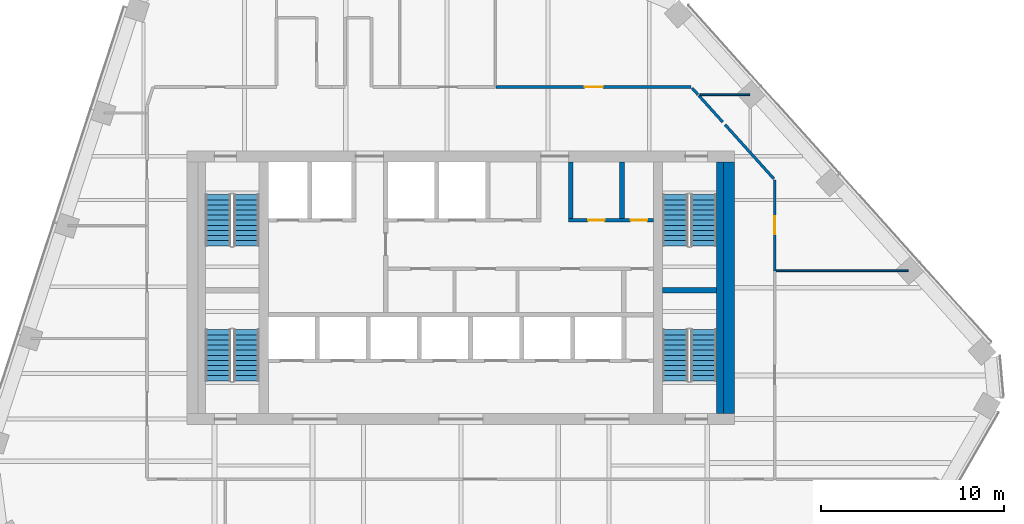
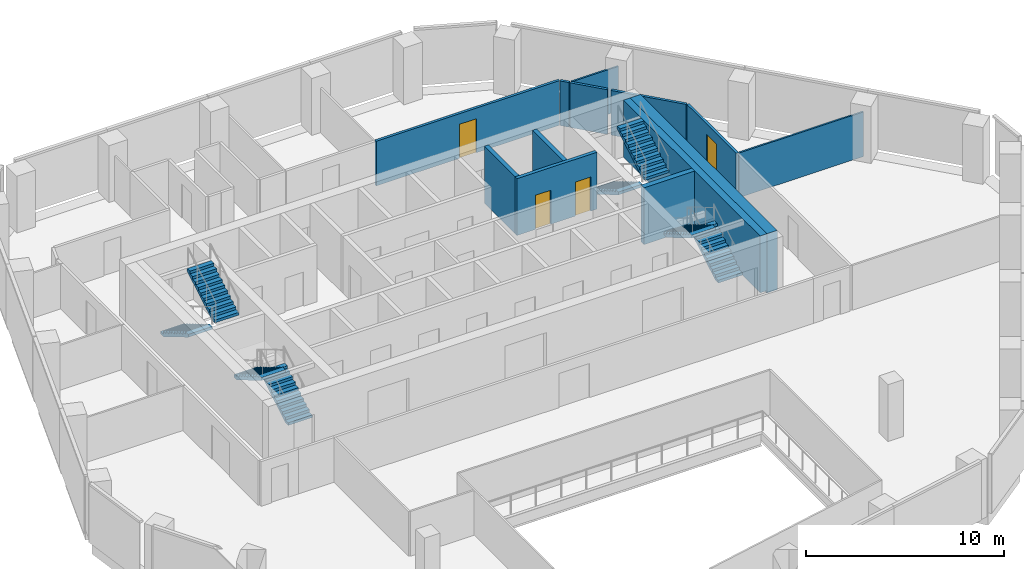
# One storey, part 11 of 15: 13 walls, 8 stair flights, 4 doors, 4 openings, 4 elements without a shape of their own.
"""IFC4 building model written with IfcOpenShell, lengths in metres."""

from ifc_helpers import new_model, si_unit, direction, frame, frame_2d, origin, place, context, subcontext, project, spatial, polyline, rectangle, outline, extrude, material, layer, layer_set, type_object, element, fill, aggregate, save


model = new_model("IFC4")

# Units and contexts
model_context = context("Model", 3, precision=1e-05, world=origin(), true_north=direction((0.0, 1.0)))
body_context = subcontext(model_context, "Body", "Model", "MODEL_VIEW")
ifc_project = project(units=[si_unit("LENGTHUNIT", "METRE"), si_unit("AREAUNIT", "SQUARE_METRE"), si_unit("VOLUMEUNIT", "CUBIC_METRE"), si_unit("PLANEANGLEUNIT", "RADIAN"), si_unit("MASSUNIT", "GRAM", prefix="KILO")], contexts=[model_context])

# Site, building, storey
site_placement = place(None, origin())
site = spatial("IfcSite", under=ifc_project, at=site_placement, CompositionType="ELEMENT")
building_placement = place(site_placement, origin())
building = spatial("IfcBuilding", under=site, at=building_placement, Name="Isthmus Gate Tower", CompositionType="ELEMENT")
storey_placement = place(building_placement, frame((0.0, 0.0, 230.89990234375)))
storey = spatial("IfcBuildingStorey", under=building, at=storey_placement, Name="L58", CompositionType="ELEMENT", Elevation=230.89990234375)

# Wall, opening, door
ifc_material_1 = material(Name="Gypsum board on steel studs, fire-rated", Category="steel")
ifc_layer_1 = layer(ifc_material_1, 0.14990234375)
ifc_layer_set_1 = layer_set([ifc_layer_1], Name="CORRIDOR WALL 150 60 MIN")
wall_type_1 = type_object("IfcWallType", Name="CORRIDOR WALL 150 60 MIN", PredefinedType="PARTITIONING", material=ifc_layer_set_1)
wall_1_placement = place(storey_placement, frame((17.199951171875, 13.407958984375, 0.0), z_axis=(0.0, 0.0, 1.0), x_axis=(0.0, -1.0, 0.0)))
wall_1 = element("IfcWall", 1, at=wall_1_placement, inside=storey, type_object=wall_type_1, Name="L58 Corridor Wall 150 60 Min", PredefinedType="PARTITIONING", context=body_context, shape_type="SweptSolid", body=[
    extrude(rectangle(XDim=4.97998046875, YDim=0.14990234375, at=frame_2d((2.489990234375, 0.0))), origin(), (0.0, 0.0, 1.0), 2.750732421875),
])
opening_1_placement = place(wall_1_placement, frame((1.989990234375, 0.0, 0.0)))
opening_1 = element("IfcOpeningElement", 2, at=opening_1_placement, cuts=wall_1, Name="Opening DT-T5B-06", PredefinedType="OPENING", context=body_context, shape_type="SweptSolid", body=[
    extrude(rectangle(XDim=1.0, YDim=2.10009765625, at=frame_2d((0.5, 1.050048828125))), frame((0.0, 0.0849609375, 0.0), z_axis=(0.0, -1.0, 0.0), x_axis=(1.0, 0.0, 0.0)), (0.0, 0.0, 1.0), 0.169921875),
])
ifc_material_2 = material(Name="Solid core timber door leaf, fire-rated", Category="wood")
door_type_1 = type_object("IfcDoorType", Name="FIRE DOOR ROOM 1000 X 2100 60 MIN", OperationType="SINGLE_SWING_LEFT", PredefinedType="DOOR", material=ifc_material_2)
door_1_placement = place(opening_1_placement, origin())
door_1 = element("IfcDoor", 3, at=door_1_placement, inside=storey, type_object=door_type_1, Name="L58 room door", OperationType="SINGLE_SWING_LEFT", OverallHeight=2.10009765625, OverallWidth=1.0, PredefinedType="DOOR", context=body_context, shape_type="SweptSolid", body=[
    extrude(rectangle(XDim=1.0, YDim=2.10009765625, at=frame_2d((0.5, 1.050048828125))), frame((0.0, 0.02490234375, 0.0), z_axis=(0.0, -1.0, 0.0), x_axis=(1.0, 0.0, 0.0)), (0.0, 0.0, 1.0), 0.050048828125),
])
fill(opening_1, door_1)

wall_2_placement = place(storey_placement, frame((1.930908203125, 18.5, 0.0), z_axis=(0.0, 0.0, 1.0), x_axis=(1.0, 0.0, 0.0)))
wall_2 = element("IfcWall", 4, at=wall_2_placement, inside=storey, type_object=wall_type_1, Name="L58 Corridor Wall 150 60 Min", PredefinedType="PARTITIONING", context=body_context, shape_type="SweptSolid", body=[
    extrude(rectangle(XDim=10.68408203125, YDim=0.14990234375, at=frame_2d((5.342041015625, 0.0))), origin(), (0.0, 0.0, 1.0), 2.750732421875),
])
opening_2_placement = place(wall_2_placement, frame((4.842041015625, 0.0, 0.0)))
opening_2 = element("IfcOpeningElement", 5, at=opening_2_placement, cuts=wall_2, Name="Opening DT-T5B-04", PredefinedType="OPENING", context=body_context, shape_type="SweptSolid", body=[
    extrude(rectangle(XDim=1.0, YDim=2.10009765625, at=frame_2d((0.5, 1.050048828125))), frame((0.0, 0.0849609375, 0.0), z_axis=(0.0, -1.0, 0.0), x_axis=(1.0, 0.0, 0.0)), (0.0, 0.0, 1.0), 0.169921875),
])
door_2_placement = place(opening_2_placement, origin())
door_2 = element("IfcDoor", 6, at=door_2_placement, inside=storey, type_object=door_type_1, Name="L58 room door", OperationType="SINGLE_SWING_RIGHT", OverallHeight=2.10009765625, OverallWidth=1.0, PredefinedType="DOOR", context=body_context, shape_type="SweptSolid", body=[
    extrude(rectangle(XDim=1.0, YDim=2.10009765625, at=frame_2d((0.5, 1.050048828125))), frame((0.0, 0.02490234375, 0.0), z_axis=(0.0, -1.0, 0.0), x_axis=(1.0, 0.0, 0.0)), (0.0, 0.0, 1.0), 0.050048828125),
])
fill(opening_2, door_2)

# Walls
wall_3_placement = place(storey_placement, frame((12.6650390625, 18.444091796875, 0.0), z_axis=(0.0, 0.0, 1.0), x_axis=(0.668637752652, -0.743588297197, 0.0)))
element("IfcWall", 7, at=wall_3_placement, inside=storey, type_object=wall_type_1, Name="L58 Corridor Wall 150 60 Min", PredefinedType="PARTITIONING", context=body_context, shape_type="SweptSolid", body=[
    extrude(rectangle(XDim=0.4951171875, YDim=0.14990234375, at=frame_2d((0.24755859375, 0.0))), origin(), (0.0, 0.0, 1.0), 2.750732421875),
])
wall_4_placement = place(storey_placement, frame((13.029541015625, 18.038818359375, 0.0), z_axis=(0.0, 0.0, 1.0), x_axis=(0.669183955235, -0.743096786466, 0.0)))
element("IfcWall", 8, at=wall_4_placement, inside=storey, type_object=wall_type_1, Name="L58 Corridor Wall 150 60 Min", PredefinedType="PARTITIONING", context=body_context, shape_type="SweptSolid", body=[
    extrude(rectangle(XDim=1.96875, YDim=0.14990234375, at=frame_2d((0.984375, 0.0))), origin(), (0.0, 0.0, 1.0), 2.750732421875),
])
wall_5_placement = place(storey_placement, frame((14.47607421875, 16.4326171875, 0.0), z_axis=(0.0, 0.0, 1.0), x_axis=(0.669204384193, -0.743078388985, 0.0)))
element("IfcWall", 9, at=wall_5_placement, inside=storey, type_object=wall_type_1, Name="L58 Corridor Wall 150 60 Min", PredefinedType="PARTITIONING", context=body_context, shape_type="SweptSolid", body=[
    extrude(rectangle(XDim=3.99560546875, YDim=0.14990234375, at=frame_2d((1.997802734375, 0.0))), origin(), (0.0, 0.0, 1.0), 2.750732421875),
])
ifc_material_3 = material(Name="Concrete f'c 50 MPa", Category="concrete")
ifc_layer_2 = layer(ifc_material_3, 0.60009765625)
ifc_layer_set_2 = layer_set([ifc_layer_2], Name="RC CORE WALL 600 F'C 50")
wall_type_2 = type_object("IfcWallType", Name="RC CORE WALL 600 F'C 50", PredefinedType="SOLIDWALL", material=ifc_layer_set_2)
wall_6_placement = place(storey_placement, frame((14.699951171875, 0.60009765625, -0.14990234375), z_axis=(0.0, 0.0, 1.0), x_axis=(0.0, 1.0, 0.0)))
element("IfcWall", 10, at=wall_6_placement, inside=storey, type_object=wall_type_2, Name="str-corewall-L58-E", PredefinedType="SOLIDWALL", context=body_context, shape_type="SweptSolid", body=[
    extrude(rectangle(XDim=13.7998046875, YDim=0.60009765625, at=frame_2d((6.89990234375, 0.0))), origin(), (0.0, 0.0, 1.0), 3.64990234375),
])
ifc_material_4 = material(Name="Gypsum board on steel studs, fire-rated", Category="steel")
ifc_layer_3 = layer(ifc_material_4, 0.10009765625)
ifc_layer_set_3 = layer_set([ifc_layer_3], Name="ROOM PARTITION 100 30 MIN")
wall_type_3 = type_object("IfcWallType", Name="ROOM PARTITION 100 30 MIN", PredefinedType="PARTITIONING", material=ifc_layer_set_3)
wall_7_placement = place(storey_placement, frame((13.096923828125, 18.075927734375, 0.0), z_axis=(0.0, 0.0, 1.0), x_axis=(1.0, 0.0, 0.0)))
element("IfcWall", 11, at=wall_7_placement, inside=storey, type_object=wall_type_3, Name="L58 Room Partition 100 30 Min", PredefinedType="PARTITIONING", context=body_context, shape_type="SweptSolid", body=[
    extrude(rectangle(XDim=2.72509765625, YDim=0.10009765625, at=frame_2d((1.362548828125, 0.0))), origin(), (0.0, 0.0, 1.0), 2.750732421875),
])
wall_8_placement = place(storey_placement, frame((17.27490234375, 8.427978515625, 0.0), z_axis=(0.0, 0.0, 1.0), x_axis=(1.0, 0.0, 0.0)))
element("IfcWall", 12, at=wall_8_placement, inside=storey, type_object=wall_type_3, Name="L58 Room Partition 100 30 Min", PredefinedType="PARTITIONING", context=body_context, shape_type="SweptSolid", body=[
    extrude(rectangle(XDim=7.235107421875, YDim=0.10009765625, at=frame_2d((3.61767578125, 0.0))), origin(), (0.0, 0.0, 1.0), 2.750732421875),
])

# Wall, openings, doors
ifc_material_5 = material(Name="Fire-rated blockwork masonry, 15 MPa", Category="masonry")
ifc_layer_4 = layer(ifc_material_5, 0.199951171875)
ifc_layer_set_4 = layer_set([ifc_layer_4], Name="SHAFT FRONT WALL 200 120 MIN")
wall_type_4 = type_object("IfcWallType", Name="SHAFT FRONT WALL 200 120 MIN", PredefinedType="PARTITIONING", material=ifc_layer_set_4)
wall_9_placement = place(storey_placement, frame((5.89990234375, 11.199951171875, 0.0), z_axis=(0.0, 0.0, 1.0), x_axis=(1.0, 0.0, 0.0)))
wall_9 = element("IfcWall", 13, at=wall_9_placement, inside=storey, type_object=wall_type_4, Name="L58 SHAFT FRONT WALL 200 120 MIN", PredefinedType="PARTITIONING", context=body_context, shape_type="SweptSolid", body=[
    extrude(rectangle(XDim=4.650146484375, YDim=0.199951171875, at=frame_2d((2.3251953125, 0.0))), origin(), (0.0, 0.0, 1.0), 3.5),
])
opening_3_placement = place(wall_9_placement, frame((1.074951171875, 0.0, 0.0)))
opening_3 = element("IfcOpeningElement", 14, at=opening_3_placement, cuts=wall_9, Name="Opening DC-A20-08", PredefinedType="OPENING", context=body_context, shape_type="SweptSolid", body=[
    extrude(rectangle(XDim=0.89990234375, YDim=2.10009765625, at=frame_2d((0.449951171875, 1.050048828125))), frame((0.0, 0.10986328125, 0.0), z_axis=(0.0, -1.0, 0.0), x_axis=(1.0, 0.0, 0.0)), (0.0, 0.0, 1.0), 0.219970703125),
])
opening_4_placement = place(wall_9_placement, frame((3.39990234375, 0.0, 0.0)))
opening_4 = element("IfcOpeningElement", 15, at=opening_4_placement, cuts=wall_9, Name="Opening DC-A20-09", PredefinedType="OPENING", context=body_context, shape_type="SweptSolid", body=[
    extrude(rectangle(XDim=0.89990234375, YDim=2.10009765625, at=frame_2d((0.449951171875, 1.050048828125))), frame((0.0, 0.10986328125, 0.0), z_axis=(0.0, -1.0, 0.0), x_axis=(1.0, 0.0, 0.0)), (0.0, 0.0, 1.0), 0.219970703125),
])
ifc_material_6 = material(Name="Steel door leaf, fire-rated", Category="steel")
door_type_2 = type_object("IfcDoorType", Name="FIRE DOOR 900 X 2100 60 MIN", OperationType="SINGLE_SWING_LEFT", PredefinedType="DOOR", material=ifc_material_6)
door_3_placement = place(opening_3_placement, origin())
door_3 = element("IfcDoor", 16, at=door_3_placement, inside=storey, type_object=door_type_2, Name="IT Room Door", OperationType="SINGLE_SWING_RIGHT", OverallHeight=2.10009765625, OverallWidth=0.89990234375, PredefinedType="DOOR", context=body_context, shape_type="SweptSolid", body=[
    extrude(rectangle(XDim=0.89990234375, YDim=2.10009765625, at=frame_2d((0.449951171875, 1.050048828125))), frame((0.0, 0.02490234375, 0.0), z_axis=(0.0, -1.0, 0.0), x_axis=(1.0, 0.0, 0.0)), (0.0, 0.0, 1.0), 0.050048828125),
])
fill(opening_3, door_3)
ifc_material_7 = material(Name="Steel door leaf, fire-rated", Category="steel")
door_type_3 = type_object("IfcDoorType", Name="RISER FIRE DOOR 900 X 2100 90 MIN", OperationType="SINGLE_SWING_LEFT", PredefinedType="DOOR", material=ifc_material_7)
door_4_placement = place(opening_4_placement, origin())
door_4 = element("IfcDoor", 17, at=door_4_placement, inside=storey, type_object=door_type_3, Name="Riser Door", OperationType="SINGLE_SWING_LEFT", OverallHeight=2.10009765625, OverallWidth=0.89990234375, PredefinedType="DOOR", context=body_context, shape_type="SweptSolid", body=[
    extrude(rectangle(XDim=0.89990234375, YDim=2.10009765625, at=frame_2d((0.449951171875, 1.050048828125))), frame((0.0, 0.02490234375, 0.0), z_axis=(0.0, -1.0, 0.0), x_axis=(1.0, 0.0, 0.0)), (0.0, 0.0, 1.0), 0.050048828125),
])
fill(opening_4, door_4)

# Walls
ifc_material_8 = material(Name="Fire-rated blockwork masonry, 15 MPa", Category="masonry")
ifc_layer_5 = layer(ifc_material_8, 0.25)
ifc_layer_set_5 = layer_set([ifc_layer_5], Name="SHAFT WALL 250 120 MIN")
wall_type_5 = type_object("IfcWallType", Name="SHAFT WALL 250 120 MIN", PredefinedType="PARTITIONING", material=ifc_layer_set_5)
for number, where, z_axis, x_axis, name in (
    (18, (6.02490234375, 11.300048828125, 0.0), (0.0, 0.0, 1.0), (0.0, 1.0, 0.0), "L58 SHAFT WALL 250 120 MIN"),
    (19, (8.824951171875, 11.300048828125, 0.0), (0.0, 0.0, 1.0), (0.0, 1.0, 0.0), "L58 SHAFT WALL 250 120 MIN"),
):
    element("IfcWall", number, at=place(storey_placement, frame(where, z_axis=z_axis, x_axis=x_axis)), inside=storey, type_object=wall_type_5, Name=name, PredefinedType="PARTITIONING", context=body_context, shape_type="SweptSolid", body=[
        extrude(rectangle(XDim=3.099853515625, YDim=0.25, at=frame_2d((1.5498046875, 0.0))), origin(), (0.0, 0.0, 1.0), 3.5),
    ])
ifc_material_9 = material(Name="Concrete f'c 40 MPa", Category="concrete")
ifc_layer_6 = layer(ifc_material_9, 0.300048828125)
ifc_layer_set_6 = layer_set([ifc_layer_6], Name="STAIR ENCLOSURE WALL 300 180 MIN")
wall_type_6 = type_object("IfcWallType", Name="STAIR ENCLOSURE WALL 300 180 MIN", PredefinedType="SOLIDWALL", material=ifc_layer_set_6)
wall_10_placement = place(storey_placement, frame((11.050048828125, 7.35009765625, 0.0), z_axis=(0.0, 0.0, 1.0), x_axis=(1.0, 0.0, 0.0)))
element("IfcWall", 20, at=wall_10_placement, inside=storey, type_object=wall_type_6, Name="L58 STAIR ENCLOSURE WALL 300 180 MIN", PredefinedType="SOLIDWALL", context=body_context, shape_type="SweptSolid", body=[
    extrude(rectangle(XDim=2.949951171875, YDim=0.300048828125, at=frame_2d((1.47509765625, 0.0))), origin(), (0.0, 0.0, 1.0), 3.5),
])
ifc_material_10 = material(Name="Concrete f'c 40 MPa", Category="concrete")
ifc_layer_7 = layer(ifc_material_10, 0.39990234375)
ifc_layer_set_7 = layer_set([ifc_layer_7], Name="STAIR ENCLOSURE WALL 400 180 MIN")
wall_type_7 = type_object("IfcWallType", Name="STAIR ENCLOSURE WALL 400 180 MIN", PredefinedType="SOLIDWALL", material=ifc_layer_set_7)
wall_11_placement = place(storey_placement, frame((14.199951171875, 0.60009765625, 0.0), z_axis=(0.0, 0.0, 1.0), x_axis=(0.0, 1.0, 0.0)))
element("IfcWall", 21, at=wall_11_placement, inside=storey, type_object=wall_type_7, Name="L58 STAIR ENCLOSURE WALL 400 180 MIN", PredefinedType="SOLIDWALL", context=body_context, shape_type="SweptSolid", body=[
    extrude(rectangle(XDim=13.7998046875, YDim=0.39990234375, at=frame_2d((6.89990234375, 0.0))), origin(), (0.0, 0.0, 1.0), 3.5),
])

# Stair, stair flights
ifc_material_11 = material(Name="Concrete f'c 40 MPa", Category="concrete")
stair_type = type_object("IfcStairType", Name="CORE STAIR 22 RISERS", PredefinedType="HALF_TURN_STAIR", material=ifc_material_11)
stair_1_placement = place(storey_placement, origin())
stair_1 = element("IfcStair", 22, at=stair_1_placement, inside=storey, type_object=stair_type, Name="L58 Exit Stair 1", PredefinedType="HALF_TURN_STAIR")
ifc_material_12 = material(Name="Concrete f'c 40 MPa", Category="concrete")
stair_flight_type = type_object("IfcStairFlightType", Name="STAIR FLIGHT RC 1400", PredefinedType="STRAIGHT", material=ifc_material_12)
stair_flight_1_placement = place(storey_placement, frame((-13.300048828125, 12.60009765625, 0.0), z_axis=(0.0, 0.0, 1.0), x_axis=(0.0, -1.0, 0.0)))
stair_flight_1 = element("IfcStairFlight", 23, at=stair_flight_1_placement, type_object=stair_flight_type, Name="ST1 flight 1", NumberOfRisers=11, NumberOfTreads=10, PredefinedType="STRAIGHT", RiserHeight=0.165909091, TreadLength=0.28, context=body_context, shape_type="SweptSolid", body=[
    extrude(outline(polyline([(0.0, 0.0), (0.0, 0.166015625), (0.280029296875, 0.166015625), (0.280029296875, 0.331787109375), (0.56005859375, 0.331787109375), (0.56005859375, 0.497802734375), (0.840087890625, 0.497802734375), (0.840087890625, 0.66357421875), (1.1201171875, 0.66357421875), (1.1201171875, 0.82958984375), (1.39990234375, 0.82958984375), (1.39990234375, 0.995361328125), (1.679931640625, 0.995361328125), (1.679931640625, 1.161376953125), (1.9599609375, 1.161376953125), (1.9599609375, 1.327392578125), (2.239990234375, 1.327392578125), (2.239990234375, 1.4931640625), (2.52001953125, 1.4931640625), (2.52001953125, 1.6591796875), (2.800048828125, 1.6591796875), (2.800048828125, 1.824951171875), (2.800048828125, 1.48486328125), (0.2939453125, 0.0), (0.0, 0.0)])), frame((0.0, 0.699951171875, 0.0), z_axis=(0.0, -1.0, 0.0), x_axis=(1.0, 0.0, 0.0)), (0.0, 0.0, 1.0), 1.39990234375),
])
stair_flight_2_placement = place(storey_placement, frame((-11.75, 9.800048828125, 1.8251953125), z_axis=(0.0, 0.0, 1.0), x_axis=(0.0, 1.0, 0.0)))
stair_flight_2 = element("IfcStairFlight", 24, at=stair_flight_2_placement, type_object=stair_flight_type, Name="ST1 flight 2", NumberOfRisers=11, NumberOfTreads=10, PredefinedType="STRAIGHT", RiserHeight=0.165909091, TreadLength=0.28, context=body_context, shape_type="SweptSolid", body=[
    extrude(outline(polyline([(0.0, 0.0), (0.0, 0.166015625), (0.280029296875, 0.166015625), (0.280029296875, 0.331787109375), (0.56005859375, 0.331787109375), (0.56005859375, 0.497802734375), (0.840087890625, 0.497802734375), (0.840087890625, 0.66357421875), (1.1201171875, 0.66357421875), (1.1201171875, 0.82958984375), (1.39990234375, 0.82958984375), (1.39990234375, 0.995361328125), (1.679931640625, 0.995361328125), (1.679931640625, 1.161376953125), (1.9599609375, 1.161376953125), (1.9599609375, 1.327392578125), (2.239990234375, 1.327392578125), (2.239990234375, 1.4931640625), (2.52001953125, 1.4931640625), (2.52001953125, 1.6591796875), (2.800048828125, 1.6591796875), (2.800048828125, 1.824951171875), (2.800048828125, 1.48486328125), (0.2939453125, 0.0), (0.0, 0.0)])), frame((0.0, 0.699951171875, 0.0), z_axis=(0.0, -1.0, 0.0), x_axis=(1.0, 0.0, 0.0)), (0.0, 0.0, 1.0), 1.39990234375),
])
aggregate(stair_1, [stair_flight_1, stair_flight_2])

stair_2_placement = place(storey_placement, origin())
stair_2 = element("IfcStair", 25, at=stair_2_placement, inside=storey, type_object=stair_type, Name="L58 Exit Stair 2", PredefinedType="HALF_TURN_STAIR")
stair_flight_3_placement = place(storey_placement, frame((11.75, 12.60009765625, 0.0), z_axis=(0.0, 0.0, 1.0), x_axis=(0.0, -1.0, 0.0)))
stair_flight_3 = element("IfcStairFlight", 26, at=stair_flight_3_placement, type_object=stair_flight_type, Name="ST2 flight 1", NumberOfRisers=11, NumberOfTreads=10, PredefinedType="STRAIGHT", RiserHeight=0.165909091, TreadLength=0.28, context=body_context, shape_type="SweptSolid", body=[
    extrude(outline(polyline([(0.0, 0.0), (0.0, 0.166015625), (0.280029296875, 0.166015625), (0.280029296875, 0.331787109375), (0.56005859375, 0.331787109375), (0.56005859375, 0.497802734375), (0.840087890625, 0.497802734375), (0.840087890625, 0.66357421875), (1.1201171875, 0.66357421875), (1.1201171875, 0.82958984375), (1.39990234375, 0.82958984375), (1.39990234375, 0.995361328125), (1.679931640625, 0.995361328125), (1.679931640625, 1.161376953125), (1.9599609375, 1.161376953125), (1.9599609375, 1.327392578125), (2.239990234375, 1.327392578125), (2.239990234375, 1.4931640625), (2.52001953125, 1.4931640625), (2.52001953125, 1.6591796875), (2.800048828125, 1.6591796875), (2.800048828125, 1.824951171875), (2.800048828125, 1.48486328125), (0.2939453125, 0.0), (0.0, 0.0)])), frame((0.0, 0.699951171875, 0.0), z_axis=(0.0, -1.0, 0.0), x_axis=(1.0, 0.0, 0.0)), (0.0, 0.0, 1.0), 1.39990234375),
])
stair_flight_4_placement = place(storey_placement, frame((13.300048828125, 9.800048828125, 1.8251953125), z_axis=(0.0, 0.0, 1.0), x_axis=(0.0, 1.0, 0.0)))
stair_flight_4 = element("IfcStairFlight", 27, at=stair_flight_4_placement, type_object=stair_flight_type, Name="ST2 flight 2", NumberOfRisers=11, NumberOfTreads=10, PredefinedType="STRAIGHT", RiserHeight=0.165909091, TreadLength=0.28, context=body_context, shape_type="SweptSolid", body=[
    extrude(outline(polyline([(0.0, 0.0), (0.0, 0.166015625), (0.280029296875, 0.166015625), (0.280029296875, 0.331787109375), (0.56005859375, 0.331787109375), (0.56005859375, 0.497802734375), (0.840087890625, 0.497802734375), (0.840087890625, 0.66357421875), (1.1201171875, 0.66357421875), (1.1201171875, 0.82958984375), (1.39990234375, 0.82958984375), (1.39990234375, 0.995361328125), (1.679931640625, 0.995361328125), (1.679931640625, 1.161376953125), (1.9599609375, 1.161376953125), (1.9599609375, 1.327392578125), (2.239990234375, 1.327392578125), (2.239990234375, 1.4931640625), (2.52001953125, 1.4931640625), (2.52001953125, 1.6591796875), (2.800048828125, 1.6591796875), (2.800048828125, 1.824951171875), (2.800048828125, 1.48486328125), (0.2939453125, 0.0), (0.0, 0.0)])), frame((0.0, 0.699951171875, 0.0), z_axis=(0.0, -1.0, 0.0), x_axis=(1.0, 0.0, 0.0)), (0.0, 0.0, 1.0), 1.39990234375),
])
aggregate(stair_2, [stair_flight_3, stair_flight_4])

stair_3_placement = place(storey_placement, origin())
stair_3 = element("IfcStair", 28, at=stair_3_placement, inside=storey, type_object=stair_type, Name="L58 Exit Stair 7", PredefinedType="HALF_TURN_STAIR")
stair_flight_5_placement = place(storey_placement, frame((-11.75, 2.39990234375, 0.0), z_axis=(0.0, 0.0, 1.0), x_axis=(0.0, 1.0, 0.0)))
stair_flight_5 = element("IfcStairFlight", 29, at=stair_flight_5_placement, type_object=stair_flight_type, Name="ST7 flight 1", NumberOfRisers=11, NumberOfTreads=10, PredefinedType="STRAIGHT", RiserHeight=0.165909091, TreadLength=0.28, context=body_context, shape_type="SweptSolid", body=[
    extrude(outline(polyline([(0.0, 0.0), (0.0, 0.166015625), (0.280029296875, 0.166015625), (0.280029296875, 0.331787109375), (0.56005859375, 0.331787109375), (0.56005859375, 0.497802734375), (0.840087890625, 0.497802734375), (0.840087890625, 0.66357421875), (1.1201171875, 0.66357421875), (1.1201171875, 0.82958984375), (1.39990234375, 0.82958984375), (1.39990234375, 0.995361328125), (1.679931640625, 0.995361328125), (1.679931640625, 1.161376953125), (1.9599609375, 1.161376953125), (1.9599609375, 1.327392578125), (2.239990234375, 1.327392578125), (2.239990234375, 1.4931640625), (2.52001953125, 1.4931640625), (2.52001953125, 1.6591796875), (2.800048828125, 1.6591796875), (2.800048828125, 1.824951171875), (2.800048828125, 1.48486328125), (0.2939453125, 0.0), (0.0, 0.0)])), frame((0.0, 0.699951171875, 0.0), z_axis=(0.0, -1.0, 0.0), x_axis=(1.0, 0.0, 0.0)), (0.0, 0.0, 1.0), 1.39990234375),
])
stair_flight_6_placement = place(storey_placement, frame((-13.300048828125, 5.199951171875, 1.8251953125), z_axis=(0.0, 0.0, 1.0), x_axis=(0.0, -1.0, 0.0)))
stair_flight_6 = element("IfcStairFlight", 30, at=stair_flight_6_placement, type_object=stair_flight_type, Name="ST7 flight 2", NumberOfRisers=11, NumberOfTreads=10, PredefinedType="STRAIGHT", RiserHeight=0.165909091, TreadLength=0.28, context=body_context, shape_type="SweptSolid", body=[
    extrude(outline(polyline([(0.0, 0.0), (0.0, 0.166015625), (0.280029296875, 0.166015625), (0.280029296875, 0.331787109375), (0.56005859375, 0.331787109375), (0.56005859375, 0.497802734375), (0.840087890625, 0.497802734375), (0.840087890625, 0.66357421875), (1.1201171875, 0.66357421875), (1.1201171875, 0.82958984375), (1.39990234375, 0.82958984375), (1.39990234375, 0.995361328125), (1.679931640625, 0.995361328125), (1.679931640625, 1.161376953125), (1.9599609375, 1.161376953125), (1.9599609375, 1.327392578125), (2.239990234375, 1.327392578125), (2.239990234375, 1.4931640625), (2.52001953125, 1.4931640625), (2.52001953125, 1.6591796875), (2.800048828125, 1.6591796875), (2.800048828125, 1.824951171875), (2.800048828125, 1.48486328125), (0.2939453125, 0.0), (0.0, 0.0)])), frame((0.0, 0.699951171875, 0.0), z_axis=(0.0, -1.0, 0.0), x_axis=(1.0, 0.0, 0.0)), (0.0, 0.0, 1.0), 1.39990234375),
])
aggregate(stair_3, [stair_flight_5, stair_flight_6])

stair_4_placement = place(storey_placement, origin())
stair_4 = element("IfcStair", 31, at=stair_4_placement, inside=storey, type_object=stair_type, Name="L58 Exit Stair 8", PredefinedType="HALF_TURN_STAIR")
stair_flight_7_placement = place(storey_placement, frame((13.300048828125, 2.39990234375, 0.0), z_axis=(0.0, 0.0, 1.0), x_axis=(0.0, 1.0, 0.0)))
stair_flight_7 = element("IfcStairFlight", 32, at=stair_flight_7_placement, type_object=stair_flight_type, Name="ST8 flight 1", NumberOfRisers=11, NumberOfTreads=10, PredefinedType="STRAIGHT", RiserHeight=0.165909091, TreadLength=0.28, context=body_context, shape_type="SweptSolid", body=[
    extrude(outline(polyline([(0.0, 0.0), (0.0, 0.166015625), (0.280029296875, 0.166015625), (0.280029296875, 0.331787109375), (0.56005859375, 0.331787109375), (0.56005859375, 0.497802734375), (0.840087890625, 0.497802734375), (0.840087890625, 0.66357421875), (1.1201171875, 0.66357421875), (1.1201171875, 0.82958984375), (1.39990234375, 0.82958984375), (1.39990234375, 0.995361328125), (1.679931640625, 0.995361328125), (1.679931640625, 1.161376953125), (1.9599609375, 1.161376953125), (1.9599609375, 1.327392578125), (2.239990234375, 1.327392578125), (2.239990234375, 1.4931640625), (2.52001953125, 1.4931640625), (2.52001953125, 1.6591796875), (2.800048828125, 1.6591796875), (2.800048828125, 1.824951171875), (2.800048828125, 1.48486328125), (0.2939453125, 0.0), (0.0, 0.0)])), frame((0.0, 0.699951171875, 0.0), z_axis=(0.0, -1.0, 0.0), x_axis=(1.0, 0.0, 0.0)), (0.0, 0.0, 1.0), 1.39990234375),
])
stair_flight_8_placement = place(storey_placement, frame((11.75, 5.199951171875, 1.8251953125), z_axis=(0.0, 0.0, 1.0), x_axis=(0.0, -1.0, 0.0)))
stair_flight_8 = element("IfcStairFlight", 33, at=stair_flight_8_placement, type_object=stair_flight_type, Name="ST8 flight 2", NumberOfRisers=11, NumberOfTreads=10, PredefinedType="STRAIGHT", RiserHeight=0.165909091, TreadLength=0.28, context=body_context, shape_type="SweptSolid", body=[
    extrude(outline(polyline([(0.0, 0.0), (0.0, 0.166015625), (0.280029296875, 0.166015625), (0.280029296875, 0.331787109375), (0.56005859375, 0.331787109375), (0.56005859375, 0.497802734375), (0.840087890625, 0.497802734375), (0.840087890625, 0.66357421875), (1.1201171875, 0.66357421875), (1.1201171875, 0.82958984375), (1.39990234375, 0.82958984375), (1.39990234375, 0.995361328125), (1.679931640625, 0.995361328125), (1.679931640625, 1.161376953125), (1.9599609375, 1.161376953125), (1.9599609375, 1.327392578125), (2.239990234375, 1.327392578125), (2.239990234375, 1.4931640625), (2.52001953125, 1.4931640625), (2.52001953125, 1.6591796875), (2.800048828125, 1.6591796875), (2.800048828125, 1.824951171875), (2.800048828125, 1.48486328125), (0.2939453125, 0.0), (0.0, 0.0)])), frame((0.0, 0.699951171875, 0.0), z_axis=(0.0, -1.0, 0.0), x_axis=(1.0, 0.0, 0.0)), (0.0, 0.0, 1.0), 1.39990234375),
])
aggregate(stair_4, [stair_flight_7, stair_flight_8])

save(model, "model.ifc")
